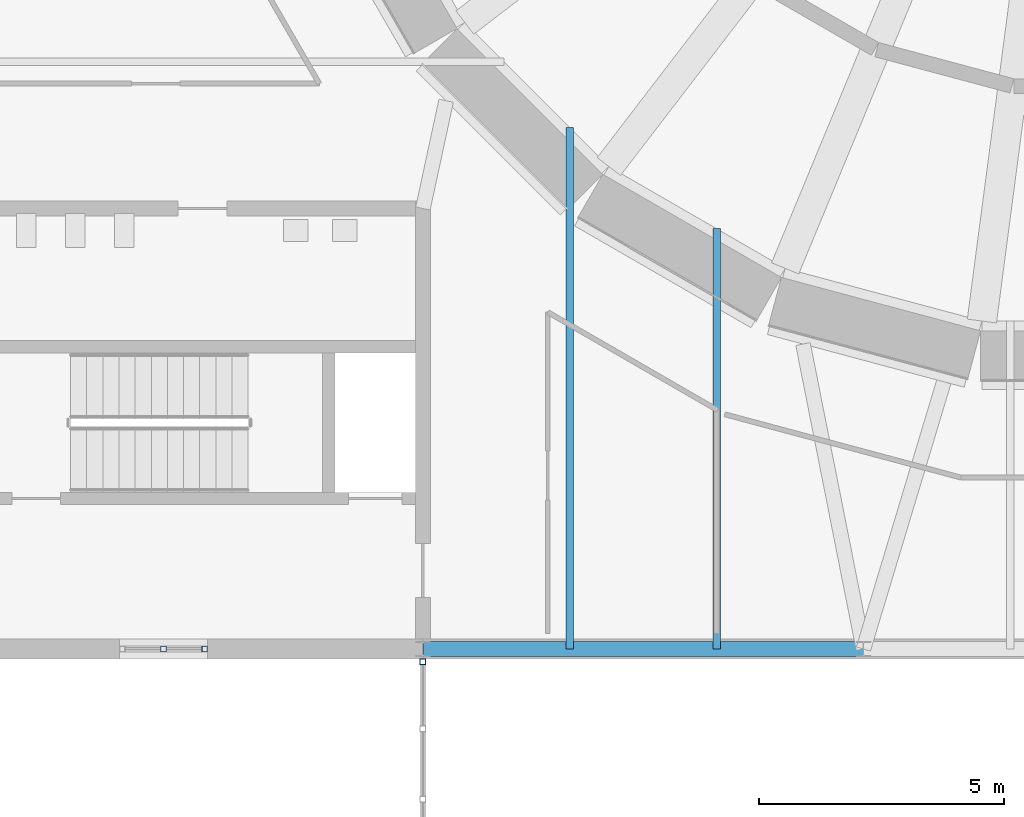
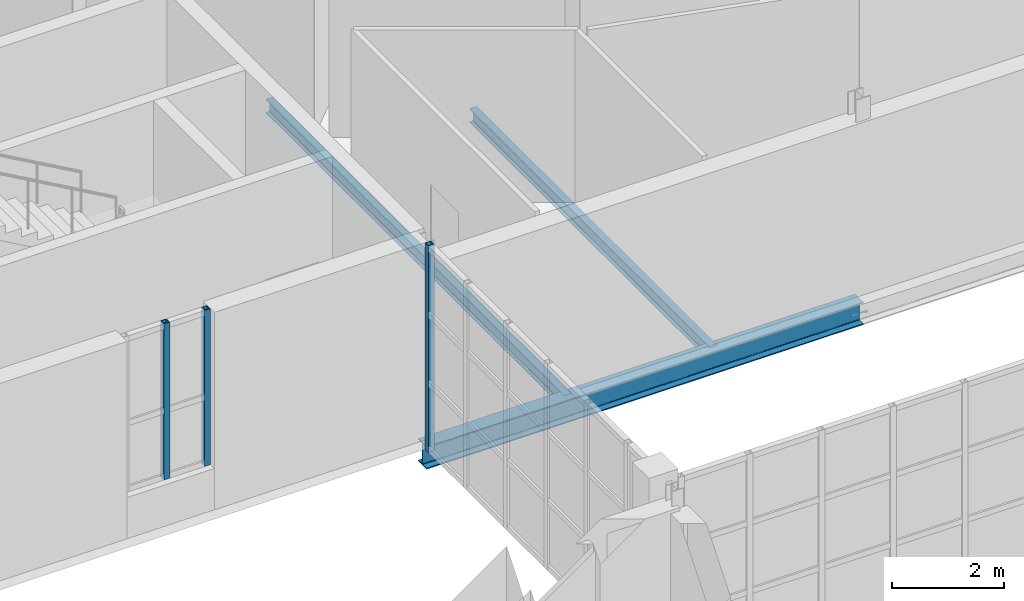
# One storey, part 47 of 131: 3 beams, 3 members, 2 elements without a shape of their own.
"""IFC4 building model written with IfcOpenShell, lengths in metres."""

from ifc_helpers import new_model, si_unit, direction, frame, origin, origin_2d, place, context, subcontext, project, spatial, hollow_rectangle, i_section, extrude, material, material_profile, profile_set, type_object, element, aggregate, save


model = new_model("IFC4")

# Units and contexts
model_context = context("Model", 3, precision=1e-05, world=origin(), true_north=direction((0.0, 1.0)))
body_context = subcontext(model_context, "Body", "Model", "MODEL_VIEW")
ifc_project = project(units=[si_unit("LENGTHUNIT", "METRE"), si_unit("AREAUNIT", "SQUARE_METRE"), si_unit("VOLUMEUNIT", "CUBIC_METRE"), si_unit("PLANEANGLEUNIT", "RADIAN"), si_unit("MASSUNIT", "GRAM", prefix="KILO")], contexts=[model_context])

# Site, building, storey
site_placement = place(None, origin())
site = spatial("IfcSite", under=ifc_project, at=site_placement, CompositionType="ELEMENT")
building_placement = place(site_placement, origin())
building = spatial("IfcBuilding", under=site, at=building_placement, Name="Golden Quay Civic Hall", CompositionType="ELEMENT")
storey_placement = place(building_placement, frame((0.0, 0.0, 9.89990234375)))
storey = spatial("IfcBuildingStorey", under=building, at=storey_placement, Name="L02", CompositionType="ELEMENT", Elevation=9.89990234375)

# Curtain wall, members
ifc_material_1 = material(Name="Fire-resisting glass and steel", Category="steel")
curtain_wall_type_1 = type_object("IfcCurtainWallType", Name="Fire-resisting glazed stair curtain wall EI 120", PredefinedType="NOTDEFINED", material=ifc_material_1)
curtain_wall_1_placement = place(storey_placement, origin())
curtain_wall_1 = element("IfcCurtainWall", 1, at=curtain_wall_1_placement, inside=storey, type_object=curtain_wall_type_1, Name="CW4 stair curtain wall", PredefinedType="NOTDEFINED")
ifc_material_2 = material(Name="Steel S355", Category="steel")
ifc_material_profile_1 = material_profile(ifc_material_2, hollow_rectangle(XDim=0.1201171875, YDim=0.1201171875, WallThickness=0.012451171875, at=origin_2d()), Name="SHS 120x120x12.5")
ifc_profile_set_1 = profile_set([ifc_material_profile_1], Name="Steel S355")
member_type_1 = type_object("IfcMemberType", Name="Fire-resisting steel stair mullion 120 x 120", PredefinedType="MULLION", material=ifc_profile_set_1)
member_1_placement = place(storey_placement, frame((66.699951171875, 63.0, 0.900146484375), z_axis=(0.0, 0.0, 1.0), x_axis=(0.0, 1.0, 0.0)))
member_1 = element("IfcMember", 2, at=member_1_placement, type_object=member_type_1, Name="CW4 mullion 2", PredefinedType="MULLION", context=body_context, shape_type="SweptSolid", body=[
    extrude(hollow_rectangle(XDim=0.1201171875, YDim=0.1201171875, WallThickness=0.012451171875, at=origin_2d()), origin(), (0.0, 0.0, 1.0), 3.39990234375),
])
member_2_placement = place(storey_placement, frame((67.5400390625, 63.0, 0.900146484375), z_axis=(0.0, 0.0, 1.0), x_axis=(0.0, 1.0, 0.0)))
member_2 = element("IfcMember", 3, at=member_2_placement, type_object=member_type_1, Name="CW4 mullion 3", PredefinedType="MULLION", context=body_context, shape_type="SweptSolid", body=[
    extrude(hollow_rectangle(XDim=0.1201171875, YDim=0.1201171875, WallThickness=0.012451171875, at=origin_2d()), origin(), (0.0, 0.0, 1.0), 3.39990234375),
])
aggregate(curtain_wall_1, [member_1, member_2])

# Beams
ifc_material_3 = material(Name="Steel S355", Category="steel")
ifc_material_profile_2 = material_profile(ifc_material_3, i_section(OverallWidth=0.300048828125, OverallDepth=0.489990234375, WebThickness=0.011962890625, FlangeThickness=0.02294921875, FilletRadius=0.027099609375, at=origin_2d()), Name="HEA 500")
ifc_profile_set_2 = profile_set([ifc_material_profile_2], Name="Steel S355")
beam_type_1 = type_object("IfcBeamType", Name="Steel girder HEA 500", PredefinedType="BEAM", material=ifc_profile_set_2)
beam_1_placement = place(storey_placement, frame((72.0, 63.0, -0.44482421875), z_axis=(1.0, 0.0, 0.0), x_axis=(0.0, 1.0, 0.0)))
element("IfcBeam", 4, at=beam_1_placement, inside=storey, type_object=beam_type_1, Name="Perimeter girder 1", PredefinedType="BEAM", context=body_context, shape_type="SweptSolid", body=[
    extrude(i_section(OverallWidth=0.300048828125, OverallDepth=0.489990234375, WebThickness=0.011962890625, FlangeThickness=0.02294921875, FilletRadius=0.027099609375, at=origin_2d()), origin(), (0.0, 0.0, 1.0), 9.0),
])
ifc_material_4 = material(Name="Steel S355", Category="steel")
ifc_material_profile_3 = material_profile(ifc_material_4, i_section(OverallWidth=0.14990234375, OverallDepth=0.300048828125, WebThickness=0.007080078125, FlangeThickness=0.0107421875, FilletRadius=0.014892578125, at=origin_2d()), Name="IPE 300")
ifc_profile_set_3 = profile_set([ifc_material_profile_3], Name="Steel S355")
beam_type_2 = type_object("IfcBeamType", Name="Steel joist IPE 300", PredefinedType="JOIST", material=ifc_profile_set_3)
beam_2_placement = place(storey_placement, frame((75.0, 63.0, -0.349853515625), z_axis=(0.0, 1.0, 0.0), x_axis=(-1.0, 0.0, 0.0)))
element("IfcBeam", 5, at=beam_2_placement, inside=storey, type_object=beam_type_2, Name="Floor joist 1", PredefinedType="JOIST", context=body_context, shape_type="SweptSolid", body=[
    extrude(i_section(OverallWidth=0.14990234375, OverallDepth=0.300048828125, WebThickness=0.007080078125, FlangeThickness=0.0107421875, FilletRadius=0.014892578125, at=origin_2d()), origin(), (0.0, 0.0, 1.0), 10.655517578125),
])
beam_3_placement = place(storey_placement, frame((78.0, 63.0, -0.349853515625), z_axis=(0.0, 1.0, 0.0), x_axis=(-1.0, 0.0, 0.0)))
element("IfcBeam", 6, at=beam_3_placement, inside=storey, type_object=beam_type_2, Name="Floor joist 2", PredefinedType="JOIST", context=body_context, shape_type="SweptSolid", body=[
    extrude(i_section(OverallWidth=0.14990234375, OverallDepth=0.300048828125, WebThickness=0.007080078125, FlangeThickness=0.0107421875, FilletRadius=0.014892578125, at=origin_2d()), origin(), (0.0, 0.0, 1.0), 8.5859375),
])

# Curtain wall, member
ifc_material_5 = material(Name="Glass and aluminium", Category="aluminium")
curtain_wall_type_2 = type_object("IfcCurtainWallType", Name="Glazed curtain wall 1500 module", PredefinedType="NOTDEFINED", material=ifc_material_5)
curtain_wall_2_placement = place(storey_placement, origin())
curtain_wall_2 = element("IfcCurtainWall", 7, at=curtain_wall_2_placement, inside=storey, type_object=curtain_wall_type_2, Name="CW1 curtain wall", PredefinedType="NOTDEFINED")
ifc_material_6 = material(Name="Steel S355", Category="steel")
ifc_material_profile_4 = material_profile(ifc_material_6, hollow_rectangle(XDim=0.1201171875, YDim=0.1201171875, WallThickness=0.008056640625, at=origin_2d()), Name="SHS 120x120x8")
ifc_profile_set_4 = profile_set([ifc_material_profile_4], Name="Steel S355")
member_type_2 = type_object("IfcMemberType", Name="Steel mullion SHS 120x120x8", PredefinedType="MULLION", material=ifc_profile_set_4)
member_3_placement = place(storey_placement, frame((72.0, 62.739990234375, -0.199951171875), z_axis=(0.0, 0.0, 1.0), x_axis=(-1.0, 0.0, 0.0)))
member_3 = element("IfcMember", 8, at=member_3_placement, type_object=member_type_2, Name="CW1 mullion 7", PredefinedType="MULLION", context=body_context, shape_type="SweptSolid", body=[
    extrude(hollow_rectangle(XDim=0.1201171875, YDim=0.1201171875, WallThickness=0.008056640625, at=origin_2d()), origin(), (0.0, 0.0, 1.0), 4.5),
])
aggregate(curtain_wall_2, [member_3])

save(model, "model.ifc")
